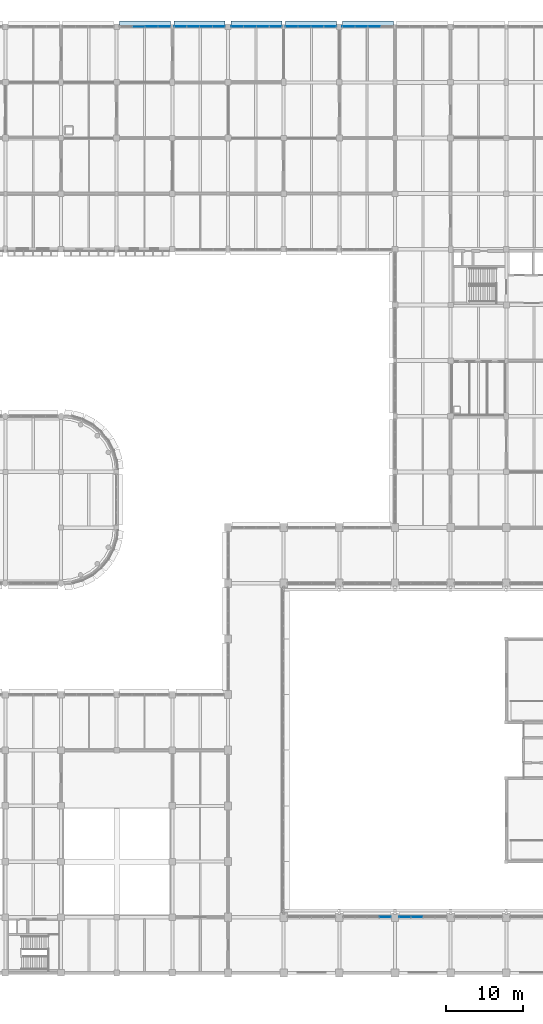
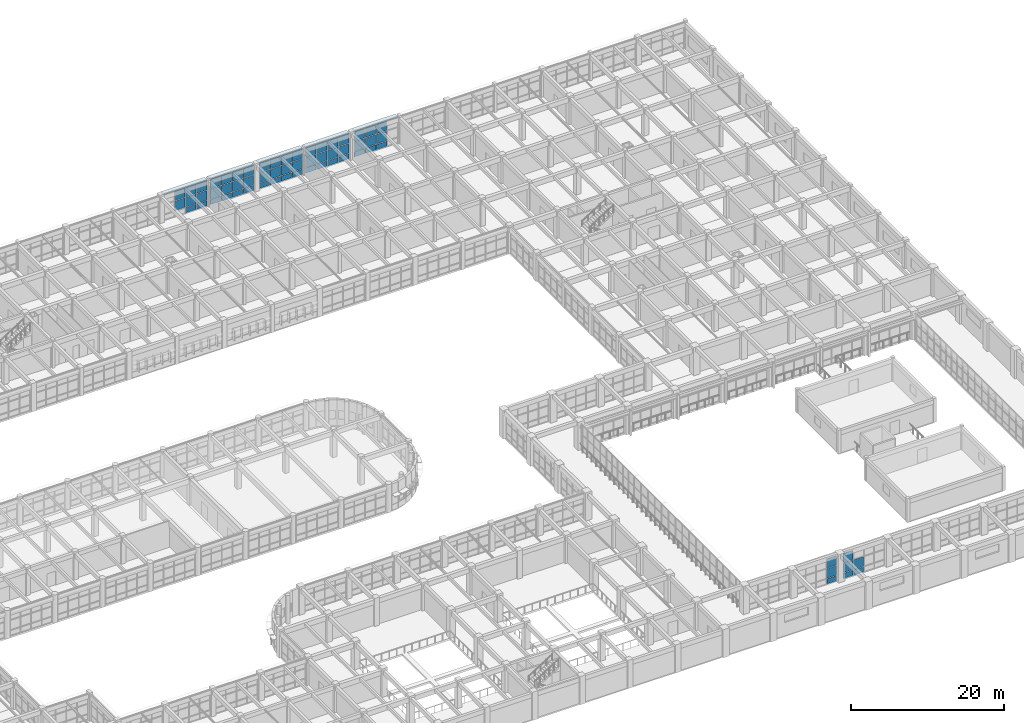
# One storey, part 139 of 171: 66 plates, 7 elements without a shape of their own.
"""IFC4 building model written with IfcOpenShell, lengths in metres."""

from ifc_helpers import new_model, si_unit, direction, frame, origin, origin_2d, place, context, subcontext, project, spatial, rectangle, extrude, material, layer, layer_set, type_object, element, aggregate, save


model = new_model("IFC4")

# Units and contexts
model_context = context("Model", 3, precision=1e-05, world=origin(), true_north=direction((0.0, 1.0)))
body_context = subcontext(model_context, "Body", "Model", "MODEL_VIEW")
ifc_project = project(units=[si_unit("LENGTHUNIT", "METRE"), si_unit("AREAUNIT", "SQUARE_METRE"), si_unit("VOLUMEUNIT", "CUBIC_METRE"), si_unit("PLANEANGLEUNIT", "RADIAN"), si_unit("MASSUNIT", "GRAM", prefix="KILO")], contexts=[model_context])

# Site, building, storey
site_placement = place(None, origin())
site = spatial("IfcSite", under=ifc_project, at=site_placement, CompositionType="ELEMENT")
building_placement = place(site_placement, origin())
building = spatial("IfcBuilding", under=site, at=building_placement, Name="Thalmaran Polytechnic", CompositionType="ELEMENT")
storey_placement = place(building_placement, frame((0.0, 0.0, 5.39990234375)))
storey = spatial("IfcBuildingStorey", under=building, at=storey_placement, Name="L01", CompositionType="ELEMENT", Elevation=5.39990234375)

# Plates
ifc_material_1 = material(Name="Anodised aluminium sun-hood eyebrow", Category="aluminium")
ifc_layer_1 = layer(ifc_material_1, 0.0849609375, Name="Anodised aluminium sun-hood eyebrow")
ifc_layer_set_1 = layer_set([ifc_layer_1], Name="Anodised aluminium sun-hood eyebrow")
plate_type_1 = type_object("IfcPlateType", Name="PT-EB01", PredefinedType="SHEET", material=ifc_layer_set_1)
for number, where, z_axis, x_axis, name in (
    (1, (97.280029296875, 122.760009765625, 4.107666015625), (0.0, 0.0, 1.0), (1.0, 0.0, 0.0), "Streamline Sun-Hood Eyebrow L01-CW092"),
    (2, (104.320068359375, 122.760009765625, 4.107666015625), (0.0, 0.0, 1.0), (1.0, 0.0, 0.0), "Streamline Sun-Hood Eyebrow L01-CW093"),
    (3, (111.679931640625, 122.760009765625, 4.107666015625), (0.0, 0.0, 1.0), (1.0, 0.0, 0.0), "Streamline Sun-Hood Eyebrow L01-CW094"),
    (4, (118.719970703125, 122.760009765625, 4.107666015625), (0.0, 0.0, 1.0), (1.0, 0.0, 0.0), "Streamline Sun-Hood Eyebrow L01-CW095"),
    (5, (126.080078125, 122.760009765625, 4.107666015625), (0.0, 0.0, 1.0), (1.0, 0.0, 0.0), "Streamline Sun-Hood Eyebrow L01-CW096"),
):
    element("IfcPlate", number, at=place(storey_placement, frame(where, z_axis=z_axis, x_axis=x_axis)), inside=storey, type_object=plate_type_1, Name=name, PredefinedType="SHEET", context=body_context, shape_type="SweptSolid", body=[
        extrude(rectangle(XDim=6.60009765625, YDim=0.760009765625, at=origin_2d()), origin(), (0.0, 0.0, 1.0), 0.0849609375),
    ])

# Curtain wall, plates
ifc_material_2 = material(Name="Aluminium 6063-T6", Category="aluminium")
curtain_wall_type = type_object("IfcCurtainWallType", Name="CW-UC02", PredefinedType="USERDEFINED", material=ifc_material_2)
curtain_wall_1_placement = place(storey_placement, origin())
curtain_wall_1 = element("IfcCurtainWall", 6, at=curtain_wall_1_placement, inside=storey, type_object=curtain_wall_type, Name="Curtain Wall CW-L01-095", ObjectType="UNITISED CURTAIN WALL", PredefinedType="USERDEFINED")
ifc_material_3 = material(Name="Solar-control double low-E glass", Category="glass")
ifc_layer_2 = layer(ifc_material_3, 0.035888671875, Name="Solar-control double low-E glass")
ifc_layer_set_2 = layer_set([ifc_layer_2], Name="Solar-control double low-E glass")
plate_type_2 = type_object("IfcPlateType", Name="PT-GL01", PredefinedType="CURTAIN_PANEL", material=ifc_layer_set_2)
plate_1_placement = place(storey_placement, frame((116.22998046875, 122.39990234375, 1.000244140625), z_axis=(0.0, 0.0, 1.0), x_axis=(1.0, 0.0, 0.0)))
plate_1 = element("IfcPlate", 7, at=plate_1_placement, type_object=plate_type_2, Name="CW-L01-095 Vision Panel 1-2", PredefinedType="CURTAIN_PANEL", context=body_context, shape_type="SweptSolid", body=[
    extrude(rectangle(XDim=1.56005859375, YDim=0.035888671875, at=origin_2d()), origin(), (0.0, 0.0, 1.0), 1.544921875),
])
plate_2_placement = place(storey_placement, frame((116.22998046875, 122.39990234375, 2.625), z_axis=(0.0, 0.0, 1.0), x_axis=(1.0, 0.0, 0.0)))
plate_2 = element("IfcPlate", 8, at=plate_2_placement, type_object=plate_type_2, Name="CW-L01-095 Vision Panel 1-3", PredefinedType="CURTAIN_PANEL", context=body_context, shape_type="SweptSolid", body=[
    extrude(rectangle(XDim=1.56005859375, YDim=0.035888671875, at=origin_2d()), origin(), (0.0, 0.0, 1.0), 1.485107421875),
])
plate_3_placement = place(storey_placement, frame((117.889892578125, 122.39990234375, 1.000244140625), z_axis=(0.0, 0.0, 1.0), x_axis=(1.0, 0.0, 0.0)))
plate_3 = element("IfcPlate", 9, at=plate_3_placement, type_object=plate_type_2, Name="CW-L01-095 Vision Panel 2-2", PredefinedType="CURTAIN_PANEL", context=body_context, shape_type="SweptSolid", body=[
    extrude(rectangle(XDim=1.56005859375, YDim=0.035888671875, at=origin_2d()), origin(), (0.0, 0.0, 1.0), 1.544921875),
])
plate_4_placement = place(storey_placement, frame((117.889892578125, 122.39990234375, 2.625), z_axis=(0.0, 0.0, 1.0), x_axis=(1.0, 0.0, 0.0)))
plate_4 = element("IfcPlate", 10, at=plate_4_placement, type_object=plate_type_2, Name="CW-L01-095 Vision Panel 2-3", PredefinedType="CURTAIN_PANEL", context=body_context, shape_type="SweptSolid", body=[
    extrude(rectangle(XDim=1.56005859375, YDim=0.035888671875, at=origin_2d()), origin(), (0.0, 0.0, 1.0), 1.485107421875),
])
plate_5_placement = place(storey_placement, frame((119.550048828125, 122.39990234375, 1.000244140625), z_axis=(0.0, 0.0, 1.0), x_axis=(1.0, 0.0, 0.0)))
plate_5 = element("IfcPlate", 11, at=plate_5_placement, type_object=plate_type_2, Name="CW-L01-095 Vision Panel 3-2", PredefinedType="CURTAIN_PANEL", context=body_context, shape_type="SweptSolid", body=[
    extrude(rectangle(XDim=1.56005859375, YDim=0.035888671875, at=origin_2d()), origin(), (0.0, 0.0, 1.0), 1.544921875),
])
plate_6_placement = place(storey_placement, frame((119.550048828125, 122.39990234375, 2.625), z_axis=(0.0, 0.0, 1.0), x_axis=(1.0, 0.0, 0.0)))
plate_6 = element("IfcPlate", 12, at=plate_6_placement, type_object=plate_type_2, Name="CW-L01-095 Vision Panel 3-3", PredefinedType="CURTAIN_PANEL", context=body_context, shape_type="SweptSolid", body=[
    extrude(rectangle(XDim=1.56005859375, YDim=0.035888671875, at=origin_2d()), origin(), (0.0, 0.0, 1.0), 1.485107421875),
])
plate_7_placement = place(storey_placement, frame((121.2099609375, 122.39990234375, 1.000244140625), z_axis=(0.0, 0.0, 1.0), x_axis=(1.0, 0.0, 0.0)))
plate_7 = element("IfcPlate", 13, at=plate_7_placement, type_object=plate_type_2, Name="CW-L01-095 Vision Panel 4-2", PredefinedType="CURTAIN_PANEL", context=body_context, shape_type="SweptSolid", body=[
    extrude(rectangle(XDim=1.56005859375, YDim=0.035888671875, at=origin_2d()), origin(), (0.0, 0.0, 1.0), 1.544921875),
])
plate_8_placement = place(storey_placement, frame((121.2099609375, 122.39990234375, 2.625), z_axis=(0.0, 0.0, 1.0), x_axis=(1.0, 0.0, 0.0)))
plate_8 = element("IfcPlate", 14, at=plate_8_placement, type_object=plate_type_2, Name="CW-L01-095 Vision Panel 4-3", PredefinedType="CURTAIN_PANEL", context=body_context, shape_type="SweptSolid", body=[
    extrude(rectangle(XDim=1.56005859375, YDim=0.035888671875, at=origin_2d()), origin(), (0.0, 0.0, 1.0), 1.485107421875),
])

curtain_wall_2_placement = place(storey_placement, origin())
curtain_wall_2 = element("IfcCurtainWall", 15, at=curtain_wall_2_placement, inside=storey, type_object=curtain_wall_type, Name="Curtain Wall CW-L01-096", ObjectType="UNITISED CURTAIN WALL", PredefinedType="USERDEFINED")
ifc_layer_3 = layer(ifc_material_3, 0.035888671875, Name="Solar-control double low-E glass")
ifc_layer_set_3 = layer_set([ifc_layer_3], Name="Solar-control double low-E glass")
plate_type_3 = type_object("IfcPlateType", Name="PT-GL02", PredefinedType="CURTAIN_PANEL", material=ifc_layer_set_3)
plate_9_placement = place(storey_placement, frame((123.590087890625, 122.39990234375, 1.000244140625), z_axis=(0.0, 0.0, 1.0), x_axis=(1.0, 0.0, 0.0)))
plate_9 = element("IfcPlate", 16, at=plate_9_placement, type_object=plate_type_3, Name="CW-L01-096 Vision Panel 1-2", PredefinedType="CURTAIN_PANEL", context=body_context, shape_type="SweptSolid", body=[
    extrude(rectangle(XDim=1.56005859375, YDim=0.035888671875, at=origin_2d()), origin(), (0.0, 0.0, 1.0), 1.544921875),
])
plate_10_placement = place(storey_placement, frame((123.590087890625, 122.39990234375, 2.625), z_axis=(0.0, 0.0, 1.0), x_axis=(1.0, 0.0, 0.0)))
plate_10 = element("IfcPlate", 17, at=plate_10_placement, type_object=plate_type_3, Name="CW-L01-096 Vision Panel 1-3", PredefinedType="CURTAIN_PANEL", context=body_context, shape_type="SweptSolid", body=[
    extrude(rectangle(XDim=1.56005859375, YDim=0.035888671875, at=origin_2d()), origin(), (0.0, 0.0, 1.0), 1.485107421875),
])
plate_11_placement = place(storey_placement, frame((125.25, 122.39990234375, 1.000244140625), z_axis=(0.0, 0.0, 1.0), x_axis=(1.0, 0.0, 0.0)))
plate_11 = element("IfcPlate", 18, at=plate_11_placement, type_object=plate_type_3, Name="CW-L01-096 Vision Panel 2-2", PredefinedType="CURTAIN_PANEL", context=body_context, shape_type="SweptSolid", body=[
    extrude(rectangle(XDim=1.56005859375, YDim=0.035888671875, at=origin_2d()), origin(), (0.0, 0.0, 1.0), 1.544921875),
])
plate_12_placement = place(storey_placement, frame((125.25, 122.39990234375, 2.625), z_axis=(0.0, 0.0, 1.0), x_axis=(1.0, 0.0, 0.0)))
plate_12 = element("IfcPlate", 19, at=plate_12_placement, type_object=plate_type_3, Name="CW-L01-096 Vision Panel 2-3", PredefinedType="CURTAIN_PANEL", context=body_context, shape_type="SweptSolid", body=[
    extrude(rectangle(XDim=1.56005859375, YDim=0.035888671875, at=origin_2d()), origin(), (0.0, 0.0, 1.0), 1.485107421875),
])
plate_13_placement = place(storey_placement, frame((126.909912109375, 122.39990234375, 1.000244140625), z_axis=(0.0, 0.0, 1.0), x_axis=(1.0, 0.0, 0.0)))
plate_13 = element("IfcPlate", 20, at=plate_13_placement, type_object=plate_type_3, Name="CW-L01-096 Vision Panel 3-2", PredefinedType="CURTAIN_PANEL", context=body_context, shape_type="SweptSolid", body=[
    extrude(rectangle(XDim=1.56005859375, YDim=0.035888671875, at=origin_2d()), origin(), (0.0, 0.0, 1.0), 1.544921875),
])
plate_14_placement = place(storey_placement, frame((126.909912109375, 122.39990234375, 2.625), z_axis=(0.0, 0.0, 1.0), x_axis=(1.0, 0.0, 0.0)))
plate_14 = element("IfcPlate", 21, at=plate_14_placement, type_object=plate_type_3, Name="CW-L01-096 Vision Panel 3-3", PredefinedType="CURTAIN_PANEL", context=body_context, shape_type="SweptSolid", body=[
    extrude(rectangle(XDim=1.56005859375, YDim=0.035888671875, at=origin_2d()), origin(), (0.0, 0.0, 1.0), 1.485107421875),
])

curtain_wall_3_placement = place(storey_placement, origin())
curtain_wall_3 = element("IfcCurtainWall", 22, at=curtain_wall_3_placement, inside=storey, type_object=curtain_wall_type, Name="Curtain Wall CW-L01-092", ObjectType="UNITISED CURTAIN WALL", PredefinedType="USERDEFINED")
ifc_layer_4 = layer(ifc_material_3, 0.035888671875, Name="Solar-control double low-E glass")
ifc_layer_set_4 = layer_set([ifc_layer_4], Name="Solar-control double low-E glass")
plate_type_4 = type_object("IfcPlateType", Name="PT-GL03", PredefinedType="CURTAIN_PANEL", material=ifc_layer_set_4)
plate_15_placement = place(storey_placement, frame((96.449951171875, 122.39990234375, 1.000244140625), z_axis=(0.0, 0.0, 1.0), x_axis=(1.0, 0.0, 0.0)))
plate_15 = element("IfcPlate", 23, at=plate_15_placement, type_object=plate_type_4, Name="CW-L01-092 Vision Panel 2-2", PredefinedType="CURTAIN_PANEL", context=body_context, shape_type="SweptSolid", body=[
    extrude(rectangle(XDim=1.56005859375, YDim=0.035888671875, at=origin_2d()), origin(), (0.0, 0.0, 1.0), 1.544921875),
])
plate_16_placement = place(storey_placement, frame((96.449951171875, 122.39990234375, 2.625), z_axis=(0.0, 0.0, 1.0), x_axis=(1.0, 0.0, 0.0)))
plate_16 = element("IfcPlate", 24, at=plate_16_placement, type_object=plate_type_4, Name="CW-L01-092 Vision Panel 2-3", PredefinedType="CURTAIN_PANEL", context=body_context, shape_type="SweptSolid", body=[
    extrude(rectangle(XDim=1.56005859375, YDim=0.035888671875, at=origin_2d()), origin(), (0.0, 0.0, 1.0), 1.485107421875),
])
plate_17_placement = place(storey_placement, frame((98.110107421875, 122.39990234375, 1.000244140625), z_axis=(0.0, 0.0, 1.0), x_axis=(1.0, 0.0, 0.0)))
plate_17 = element("IfcPlate", 25, at=plate_17_placement, type_object=plate_type_4, Name="CW-L01-092 Vision Panel 3-2", PredefinedType="CURTAIN_PANEL", context=body_context, shape_type="SweptSolid", body=[
    extrude(rectangle(XDim=1.56005859375, YDim=0.035888671875, at=origin_2d()), origin(), (0.0, 0.0, 1.0), 1.544921875),
])
plate_18_placement = place(storey_placement, frame((98.110107421875, 122.39990234375, 2.625), z_axis=(0.0, 0.0, 1.0), x_axis=(1.0, 0.0, 0.0)))
plate_18 = element("IfcPlate", 26, at=plate_18_placement, type_object=plate_type_4, Name="CW-L01-092 Vision Panel 3-3", PredefinedType="CURTAIN_PANEL", context=body_context, shape_type="SweptSolid", body=[
    extrude(rectangle(XDim=1.56005859375, YDim=0.035888671875, at=origin_2d()), origin(), (0.0, 0.0, 1.0), 1.485107421875),
])
plate_19_placement = place(storey_placement, frame((99.77001953125, 122.39990234375, 1.000244140625), z_axis=(0.0, 0.0, 1.0), x_axis=(1.0, 0.0, 0.0)))
plate_19 = element("IfcPlate", 27, at=plate_19_placement, type_object=plate_type_4, Name="CW-L01-092 Vision Panel 4-2", PredefinedType="CURTAIN_PANEL", context=body_context, shape_type="SweptSolid", body=[
    extrude(rectangle(XDim=1.56005859375, YDim=0.035888671875, at=origin_2d()), origin(), (0.0, 0.0, 1.0), 1.544921875),
])
plate_20_placement = place(storey_placement, frame((99.77001953125, 122.39990234375, 2.625), z_axis=(0.0, 0.0, 1.0), x_axis=(1.0, 0.0, 0.0)))
plate_20 = element("IfcPlate", 28, at=plate_20_placement, type_object=plate_type_4, Name="CW-L01-092 Vision Panel 4-3", PredefinedType="CURTAIN_PANEL", context=body_context, shape_type="SweptSolid", body=[
    extrude(rectangle(XDim=1.56005859375, YDim=0.035888671875, at=origin_2d()), origin(), (0.0, 0.0, 1.0), 1.485107421875),
])

curtain_wall_4_placement = place(storey_placement, origin())
curtain_wall_4 = element("IfcCurtainWall", 29, at=curtain_wall_4_placement, inside=storey, type_object=curtain_wall_type, Name="Curtain Wall CW-L01-112", ObjectType="UNITISED CURTAIN WALL", PredefinedType="USERDEFINED")
plate_21_placement = place(storey_placement, frame((128.34375, 7.199951171875, 1.000244140625), z_axis=(0.0, 0.0, 1.0), x_axis=(1.0, 0.0, 0.0)))
plate_21 = element("IfcPlate", 30, at=plate_21_placement, type_object=plate_type_4, Name="CW-L01-112 Vision Panel 4-2", PredefinedType="CURTAIN_PANEL", context=body_context, shape_type="SweptSolid", body=[
    extrude(rectangle(XDim=1.46240234375, YDim=0.035888671875, at=origin_2d()), origin(), (0.0, 0.0, 1.0), 1.544921875),
])
plate_22_placement = place(storey_placement, frame((128.34375, 7.199951171875, 2.625), z_axis=(0.0, 0.0, 1.0), x_axis=(1.0, 0.0, 0.0)))
plate_22 = element("IfcPlate", 31, at=plate_22_placement, type_object=plate_type_4, Name="CW-L01-112 Vision Panel 4-3", PredefinedType="CURTAIN_PANEL", context=body_context, shape_type="SweptSolid", body=[
    extrude(rectangle(XDim=1.46240234375, YDim=0.035888671875, at=origin_2d()), origin(), (0.0, 0.0, 1.0), 1.485107421875),
])

curtain_wall_5_placement = place(storey_placement, origin())
curtain_wall_5 = element("IfcCurtainWall", 32, at=curtain_wall_5_placement, inside=storey, type_object=curtain_wall_type, Name="Curtain Wall CW-L01-093", ObjectType="UNITISED CURTAIN WALL", PredefinedType="USERDEFINED")
ifc_layer_5 = layer(ifc_material_3, 0.035888671875, Name="Solar-control double low-E glass")
ifc_layer_set_5 = layer_set([ifc_layer_5], Name="Solar-control double low-E glass")
plate_type_5 = type_object("IfcPlateType", Name="PT-GL04", PredefinedType="CURTAIN_PANEL", material=ifc_layer_set_5)
plate_23_placement = place(storey_placement, frame((101.830078125, 122.39990234375, 1.000244140625), z_axis=(0.0, 0.0, 1.0), x_axis=(1.0, 0.0, 0.0)))
plate_23 = element("IfcPlate", 33, at=plate_23_placement, type_object=plate_type_5, Name="CW-L01-093 Vision Panel 1-2", PredefinedType="CURTAIN_PANEL", context=body_context, shape_type="SweptSolid", body=[
    extrude(rectangle(XDim=1.56005859375, YDim=0.035888671875, at=origin_2d()), origin(), (0.0, 0.0, 1.0), 1.544921875),
])
plate_24_placement = place(storey_placement, frame((101.830078125, 122.39990234375, 2.625), z_axis=(0.0, 0.0, 1.0), x_axis=(1.0, 0.0, 0.0)))
plate_24 = element("IfcPlate", 34, at=plate_24_placement, type_object=plate_type_5, Name="CW-L01-093 Vision Panel 1-3", PredefinedType="CURTAIN_PANEL", context=body_context, shape_type="SweptSolid", body=[
    extrude(rectangle(XDim=1.56005859375, YDim=0.035888671875, at=origin_2d()), origin(), (0.0, 0.0, 1.0), 1.485107421875),
])
plate_25_placement = place(storey_placement, frame((103.489990234375, 122.39990234375, 1.000244140625), z_axis=(0.0, 0.0, 1.0), x_axis=(1.0, 0.0, 0.0)))
plate_25 = element("IfcPlate", 35, at=plate_25_placement, type_object=plate_type_5, Name="CW-L01-093 Vision Panel 2-2", PredefinedType="CURTAIN_PANEL", context=body_context, shape_type="SweptSolid", body=[
    extrude(rectangle(XDim=1.56005859375, YDim=0.035888671875, at=origin_2d()), origin(), (0.0, 0.0, 1.0), 1.544921875),
])
plate_26_placement = place(storey_placement, frame((103.489990234375, 122.39990234375, 2.625), z_axis=(0.0, 0.0, 1.0), x_axis=(1.0, 0.0, 0.0)))
plate_26 = element("IfcPlate", 36, at=plate_26_placement, type_object=plate_type_5, Name="CW-L01-093 Vision Panel 2-3", PredefinedType="CURTAIN_PANEL", context=body_context, shape_type="SweptSolid", body=[
    extrude(rectangle(XDim=1.56005859375, YDim=0.035888671875, at=origin_2d()), origin(), (0.0, 0.0, 1.0), 1.485107421875),
])
plate_27_placement = place(storey_placement, frame((105.14990234375, 122.39990234375, 1.000244140625), z_axis=(0.0, 0.0, 1.0), x_axis=(1.0, 0.0, 0.0)))
plate_27 = element("IfcPlate", 37, at=plate_27_placement, type_object=plate_type_5, Name="CW-L01-093 Vision Panel 3-2", PredefinedType="CURTAIN_PANEL", context=body_context, shape_type="SweptSolid", body=[
    extrude(rectangle(XDim=1.56005859375, YDim=0.035888671875, at=origin_2d()), origin(), (0.0, 0.0, 1.0), 1.544921875),
])
plate_28_placement = place(storey_placement, frame((105.14990234375, 122.39990234375, 2.625), z_axis=(0.0, 0.0, 1.0), x_axis=(1.0, 0.0, 0.0)))
plate_28 = element("IfcPlate", 38, at=plate_28_placement, type_object=plate_type_5, Name="CW-L01-093 Vision Panel 3-3", PredefinedType="CURTAIN_PANEL", context=body_context, shape_type="SweptSolid", body=[
    extrude(rectangle(XDim=1.56005859375, YDim=0.035888671875, at=origin_2d()), origin(), (0.0, 0.0, 1.0), 1.485107421875),
])
plate_29_placement = place(storey_placement, frame((106.81005859375, 122.39990234375, 1.000244140625), z_axis=(0.0, 0.0, 1.0), x_axis=(1.0, 0.0, 0.0)))
plate_29 = element("IfcPlate", 39, at=plate_29_placement, type_object=plate_type_5, Name="CW-L01-093 Vision Panel 4-2", PredefinedType="CURTAIN_PANEL", context=body_context, shape_type="SweptSolid", body=[
    extrude(rectangle(XDim=1.56005859375, YDim=0.035888671875, at=origin_2d()), origin(), (0.0, 0.0, 1.0), 1.544921875),
])
plate_30_placement = place(storey_placement, frame((106.81005859375, 122.39990234375, 2.625), z_axis=(0.0, 0.0, 1.0), x_axis=(1.0, 0.0, 0.0)))
plate_30 = element("IfcPlate", 40, at=plate_30_placement, type_object=plate_type_5, Name="CW-L01-093 Vision Panel 4-3", PredefinedType="CURTAIN_PANEL", context=body_context, shape_type="SweptSolid", body=[
    extrude(rectangle(XDim=1.56005859375, YDim=0.035888671875, at=origin_2d()), origin(), (0.0, 0.0, 1.0), 1.485107421875),
])

curtain_wall_6_placement = place(storey_placement, origin())
curtain_wall_6 = element("IfcCurtainWall", 41, at=curtain_wall_6_placement, inside=storey, type_object=curtain_wall_type, Name="Curtain Wall CW-L01-113", ObjectType="UNITISED CURTAIN WALL", PredefinedType="USERDEFINED")
plate_31_placement = place(storey_placement, frame((130.856201171875, 7.199951171875, 1.000244140625), z_axis=(0.0, 0.0, 1.0), x_axis=(1.0, 0.0, 0.0)))
plate_31 = element("IfcPlate", 42, at=plate_31_placement, type_object=plate_type_5, Name="CW-L01-113 Vision Panel 1-2", PredefinedType="CURTAIN_PANEL", context=body_context, shape_type="SweptSolid", body=[
    extrude(rectangle(XDim=1.46240234375, YDim=0.035888671875, at=origin_2d()), origin(), (0.0, 0.0, 1.0), 1.544921875),
])
plate_32_placement = place(storey_placement, frame((130.856201171875, 7.199951171875, 2.625), z_axis=(0.0, 0.0, 1.0), x_axis=(1.0, 0.0, 0.0)))
plate_32 = element("IfcPlate", 43, at=plate_32_placement, type_object=plate_type_5, Name="CW-L01-113 Vision Panel 1-3", PredefinedType="CURTAIN_PANEL", context=body_context, shape_type="SweptSolid", body=[
    extrude(rectangle(XDim=1.46240234375, YDim=0.035888671875, at=origin_2d()), origin(), (0.0, 0.0, 1.0), 1.485107421875),
])
plate_33_placement = place(storey_placement, frame((132.418701171875, 7.199951171875, 1.000244140625), z_axis=(0.0, 0.0, 1.0), x_axis=(1.0, 0.0, 0.0)))
plate_33 = element("IfcPlate", 44, at=plate_33_placement, type_object=plate_type_5, Name="CW-L01-113 Vision Panel 2-2", PredefinedType="CURTAIN_PANEL", context=body_context, shape_type="SweptSolid", body=[
    extrude(rectangle(XDim=1.46240234375, YDim=0.035888671875, at=origin_2d()), origin(), (0.0, 0.0, 1.0), 1.544921875),
])

curtain_wall_7_placement = place(storey_placement, origin())
curtain_wall_7 = element("IfcCurtainWall", 45, at=curtain_wall_7_placement, inside=storey, type_object=curtain_wall_type, Name="Curtain Wall CW-L01-094", ObjectType="UNITISED CURTAIN WALL", PredefinedType="USERDEFINED")
ifc_layer_6 = layer(ifc_material_3, 0.035888671875, Name="Solar-control double low-E glass")
ifc_layer_set_6 = layer_set([ifc_layer_6], Name="Solar-control double low-E glass")
plate_type_6 = type_object("IfcPlateType", Name="PT-GL05", PredefinedType="CURTAIN_PANEL", material=ifc_layer_set_6)
plate_34_placement = place(storey_placement, frame((109.18994140625, 122.39990234375, 1.000244140625), z_axis=(0.0, 0.0, 1.0), x_axis=(1.0, 0.0, 0.0)))
plate_34 = element("IfcPlate", 46, at=plate_34_placement, type_object=plate_type_6, Name="CW-L01-094 Vision Panel 1-2", PredefinedType="CURTAIN_PANEL", context=body_context, shape_type="SweptSolid", body=[
    extrude(rectangle(XDim=1.56005859375, YDim=0.035888671875, at=origin_2d()), origin(), (0.0, 0.0, 1.0), 1.544921875),
])
plate_35_placement = place(storey_placement, frame((109.18994140625, 122.39990234375, 2.625), z_axis=(0.0, 0.0, 1.0), x_axis=(1.0, 0.0, 0.0)))
plate_35 = element("IfcPlate", 47, at=plate_35_placement, type_object=plate_type_6, Name="CW-L01-094 Vision Panel 1-3", PredefinedType="CURTAIN_PANEL", context=body_context, shape_type="SweptSolid", body=[
    extrude(rectangle(XDim=1.56005859375, YDim=0.035888671875, at=origin_2d()), origin(), (0.0, 0.0, 1.0), 1.485107421875),
])
plate_36_placement = place(storey_placement, frame((110.85009765625, 122.39990234375, 1.000244140625), z_axis=(0.0, 0.0, 1.0), x_axis=(1.0, 0.0, 0.0)))
plate_36 = element("IfcPlate", 48, at=plate_36_placement, type_object=plate_type_6, Name="CW-L01-094 Vision Panel 2-2", PredefinedType="CURTAIN_PANEL", context=body_context, shape_type="SweptSolid", body=[
    extrude(rectangle(XDim=1.56005859375, YDim=0.035888671875, at=origin_2d()), origin(), (0.0, 0.0, 1.0), 1.544921875),
])
plate_37_placement = place(storey_placement, frame((110.85009765625, 122.39990234375, 2.625), z_axis=(0.0, 0.0, 1.0), x_axis=(1.0, 0.0, 0.0)))
plate_37 = element("IfcPlate", 49, at=plate_37_placement, type_object=plate_type_6, Name="CW-L01-094 Vision Panel 2-3", PredefinedType="CURTAIN_PANEL", context=body_context, shape_type="SweptSolid", body=[
    extrude(rectangle(XDim=1.56005859375, YDim=0.035888671875, at=origin_2d()), origin(), (0.0, 0.0, 1.0), 1.485107421875),
])
plate_38_placement = place(storey_placement, frame((112.510009765625, 122.39990234375, 1.000244140625), z_axis=(0.0, 0.0, 1.0), x_axis=(1.0, 0.0, 0.0)))
plate_38 = element("IfcPlate", 50, at=plate_38_placement, type_object=plate_type_6, Name="CW-L01-094 Vision Panel 3-2", PredefinedType="CURTAIN_PANEL", context=body_context, shape_type="SweptSolid", body=[
    extrude(rectangle(XDim=1.56005859375, YDim=0.035888671875, at=origin_2d()), origin(), (0.0, 0.0, 1.0), 1.544921875),
])
plate_39_placement = place(storey_placement, frame((112.510009765625, 122.39990234375, 2.625), z_axis=(0.0, 0.0, 1.0), x_axis=(1.0, 0.0, 0.0)))
plate_39 = element("IfcPlate", 51, at=plate_39_placement, type_object=plate_type_6, Name="CW-L01-094 Vision Panel 3-3", PredefinedType="CURTAIN_PANEL", context=body_context, shape_type="SweptSolid", body=[
    extrude(rectangle(XDim=1.56005859375, YDim=0.035888671875, at=origin_2d()), origin(), (0.0, 0.0, 1.0), 1.485107421875),
])
plate_40_placement = place(storey_placement, frame((114.169921875, 122.39990234375, 1.000244140625), z_axis=(0.0, 0.0, 1.0), x_axis=(1.0, 0.0, 0.0)))
plate_40 = element("IfcPlate", 52, at=plate_40_placement, type_object=plate_type_6, Name="CW-L01-094 Vision Panel 4-2", PredefinedType="CURTAIN_PANEL", context=body_context, shape_type="SweptSolid", body=[
    extrude(rectangle(XDim=1.56005859375, YDim=0.035888671875, at=origin_2d()), origin(), (0.0, 0.0, 1.0), 1.544921875),
])
plate_41_placement = place(storey_placement, frame((114.169921875, 122.39990234375, 2.625), z_axis=(0.0, 0.0, 1.0), x_axis=(1.0, 0.0, 0.0)))
plate_41 = element("IfcPlate", 53, at=plate_41_placement, type_object=plate_type_6, Name="CW-L01-094 Vision Panel 4-3", PredefinedType="CURTAIN_PANEL", context=body_context, shape_type="SweptSolid", body=[
    extrude(rectangle(XDim=1.56005859375, YDim=0.035888671875, at=origin_2d()), origin(), (0.0, 0.0, 1.0), 1.485107421875),
])

# Plate
ifc_material_4 = material(Name="Insulated anodised aluminium spandrel", Category="aluminium")
ifc_layer_7 = layer(ifc_material_4, 0.06005859375, Name="Insulated anodised aluminium spandrel")
ifc_layer_set_7 = layer_set([ifc_layer_7], Name="Insulated anodised aluminium spandrel")
plate_type_7 = type_object("IfcPlateType", Name="PT-SP01", PredefinedType="CURTAIN_PANEL", material=ifc_layer_set_7)
plate_42_placement = place(storey_placement, frame((101.830078125, 122.39990234375, 0.10009765625), z_axis=(0.0, 0.0, 1.0), x_axis=(1.0, 0.0, 0.0)))
plate_42 = element("IfcPlate", 54, at=plate_42_placement, type_object=plate_type_7, Name="CW-L01-093 Spandrel Panel 1-1", PredefinedType="CURTAIN_PANEL", context=body_context, shape_type="SweptSolid", body=[
    extrude(rectangle(XDim=1.56005859375, YDim=0.06005859375, at=origin_2d()), origin(), (0.0, 0.0, 1.0), 0.820068359375),
])

plate_43_placement = place(storey_placement, frame((103.489990234375, 122.39990234375, 0.10009765625), z_axis=(0.0, 0.0, 1.0), x_axis=(1.0, 0.0, 0.0)))
plate_43 = element("IfcPlate", 55, at=plate_43_placement, type_object=plate_type_7, Name="CW-L01-093 Spandrel Panel 2-1", PredefinedType="CURTAIN_PANEL", context=body_context, shape_type="SweptSolid", body=[
    extrude(rectangle(XDim=1.56005859375, YDim=0.06005859375, at=origin_2d()), origin(), (0.0, 0.0, 1.0), 0.820068359375),
])

plate_44_placement = place(storey_placement, frame((105.14990234375, 122.39990234375, 0.10009765625), z_axis=(0.0, 0.0, 1.0), x_axis=(1.0, 0.0, 0.0)))
plate_44 = element("IfcPlate", 56, at=plate_44_placement, type_object=plate_type_7, Name="CW-L01-093 Spandrel Panel 3-1", PredefinedType="CURTAIN_PANEL", context=body_context, shape_type="SweptSolid", body=[
    extrude(rectangle(XDim=1.56005859375, YDim=0.06005859375, at=origin_2d()), origin(), (0.0, 0.0, 1.0), 0.820068359375),
])

plate_45_placement = place(storey_placement, frame((106.81005859375, 122.39990234375, 0.10009765625), z_axis=(0.0, 0.0, 1.0), x_axis=(1.0, 0.0, 0.0)))
plate_45 = element("IfcPlate", 57, at=plate_45_placement, type_object=plate_type_7, Name="CW-L01-093 Spandrel Panel 4-1", PredefinedType="CURTAIN_PANEL", context=body_context, shape_type="SweptSolid", body=[
    extrude(rectangle(XDim=1.56005859375, YDim=0.06005859375, at=origin_2d()), origin(), (0.0, 0.0, 1.0), 0.820068359375),
])

aggregate(curtain_wall_5, [plate_42, plate_23, plate_24, plate_43, plate_25, plate_26, plate_44, plate_27, plate_28, plate_45, plate_29, plate_30])

plate_46_placement = place(storey_placement, frame((123.590087890625, 122.39990234375, 0.10009765625), z_axis=(0.0, 0.0, 1.0), x_axis=(1.0, 0.0, 0.0)))
plate_46 = element("IfcPlate", 58, at=plate_46_placement, type_object=plate_type_7, Name="CW-L01-096 Spandrel Panel 1-1", PredefinedType="CURTAIN_PANEL", context=body_context, shape_type="SweptSolid", body=[
    extrude(rectangle(XDim=1.56005859375, YDim=0.06005859375, at=origin_2d()), origin(), (0.0, 0.0, 1.0), 0.820068359375),
])

plate_47_placement = place(storey_placement, frame((125.25, 122.39990234375, 0.10009765625), z_axis=(0.0, 0.0, 1.0), x_axis=(1.0, 0.0, 0.0)))
plate_47 = element("IfcPlate", 59, at=plate_47_placement, type_object=plate_type_7, Name="CW-L01-096 Spandrel Panel 2-1", PredefinedType="CURTAIN_PANEL", context=body_context, shape_type="SweptSolid", body=[
    extrude(rectangle(XDim=1.56005859375, YDim=0.06005859375, at=origin_2d()), origin(), (0.0, 0.0, 1.0), 0.820068359375),
])

plate_48_placement = place(storey_placement, frame((126.909912109375, 122.39990234375, 0.10009765625), z_axis=(0.0, 0.0, 1.0), x_axis=(1.0, 0.0, 0.0)))
plate_48 = element("IfcPlate", 60, at=plate_48_placement, type_object=plate_type_7, Name="CW-L01-096 Spandrel Panel 3-1", PredefinedType="CURTAIN_PANEL", context=body_context, shape_type="SweptSolid", body=[
    extrude(rectangle(XDim=1.56005859375, YDim=0.06005859375, at=origin_2d()), origin(), (0.0, 0.0, 1.0), 0.820068359375),
])

aggregate(curtain_wall_2, [plate_46, plate_9, plate_10, plate_47, plate_11, plate_12, plate_48, plate_13, plate_14])

ifc_layer_8 = layer(ifc_material_4, 0.06005859375, Name="Insulated anodised aluminium spandrel")
ifc_layer_set_8 = layer_set([ifc_layer_8], Name="Insulated anodised aluminium spandrel")
plate_type_8 = type_object("IfcPlateType", Name="PT-SP02", PredefinedType="CURTAIN_PANEL", material=ifc_layer_set_8)
plate_49_placement = place(storey_placement, frame((109.18994140625, 122.39990234375, 0.10009765625), z_axis=(0.0, 0.0, 1.0), x_axis=(1.0, 0.0, 0.0)))
plate_49 = element("IfcPlate", 61, at=plate_49_placement, type_object=plate_type_8, Name="CW-L01-094 Spandrel Panel 1-1", PredefinedType="CURTAIN_PANEL", context=body_context, shape_type="SweptSolid", body=[
    extrude(rectangle(XDim=1.56005859375, YDim=0.06005859375, at=origin_2d()), origin(), (0.0, 0.0, 1.0), 0.820068359375),
])

plate_50_placement = place(storey_placement, frame((110.85009765625, 122.39990234375, 0.10009765625), z_axis=(0.0, 0.0, 1.0), x_axis=(1.0, 0.0, 0.0)))
plate_50 = element("IfcPlate", 62, at=plate_50_placement, type_object=plate_type_8, Name="CW-L01-094 Spandrel Panel 2-1", PredefinedType="CURTAIN_PANEL", context=body_context, shape_type="SweptSolid", body=[
    extrude(rectangle(XDim=1.56005859375, YDim=0.06005859375, at=origin_2d()), origin(), (0.0, 0.0, 1.0), 0.820068359375),
])

plate_51_placement = place(storey_placement, frame((112.510009765625, 122.39990234375, 0.10009765625), z_axis=(0.0, 0.0, 1.0), x_axis=(1.0, 0.0, 0.0)))
plate_51 = element("IfcPlate", 63, at=plate_51_placement, type_object=plate_type_8, Name="CW-L01-094 Spandrel Panel 3-1", PredefinedType="CURTAIN_PANEL", context=body_context, shape_type="SweptSolid", body=[
    extrude(rectangle(XDim=1.56005859375, YDim=0.06005859375, at=origin_2d()), origin(), (0.0, 0.0, 1.0), 0.820068359375),
])

plate_52_placement = place(storey_placement, frame((114.169921875, 122.39990234375, 0.10009765625), z_axis=(0.0, 0.0, 1.0), x_axis=(1.0, 0.0, 0.0)))
plate_52 = element("IfcPlate", 64, at=plate_52_placement, type_object=plate_type_8, Name="CW-L01-094 Spandrel Panel 4-1", PredefinedType="CURTAIN_PANEL", context=body_context, shape_type="SweptSolid", body=[
    extrude(rectangle(XDim=1.56005859375, YDim=0.06005859375, at=origin_2d()), origin(), (0.0, 0.0, 1.0), 0.820068359375),
])

aggregate(curtain_wall_7, [plate_49, plate_34, plate_35, plate_50, plate_36, plate_37, plate_51, plate_38, plate_39, plate_52, plate_40, plate_41])

plate_53_placement = place(storey_placement, frame((128.34375, 7.199951171875, 0.10009765625), z_axis=(0.0, 0.0, 1.0), x_axis=(1.0, 0.0, 0.0)))
plate_53 = element("IfcPlate", 65, at=plate_53_placement, type_object=plate_type_8, Name="CW-L01-112 Spandrel Panel 4-1", PredefinedType="CURTAIN_PANEL", context=body_context, shape_type="SweptSolid", body=[
    extrude(rectangle(XDim=1.46240234375, YDim=0.06005859375, at=origin_2d()), origin(), (0.0, 0.0, 1.0), 0.820068359375),
])

aggregate(curtain_wall_4, [plate_53, plate_21, plate_22])

ifc_layer_9 = layer(ifc_material_4, 0.06005859375, Name="Insulated anodised aluminium spandrel")
ifc_layer_set_9 = layer_set([ifc_layer_9], Name="Insulated anodised aluminium spandrel")
plate_type_9 = type_object("IfcPlateType", Name="PT-SP03", PredefinedType="CURTAIN_PANEL", material=ifc_layer_set_9)
plate_54_placement = place(storey_placement, frame((98.110107421875, 122.39990234375, 0.10009765625), z_axis=(0.0, 0.0, 1.0), x_axis=(1.0, 0.0, 0.0)))
plate_54 = element("IfcPlate", 66, at=plate_54_placement, type_object=plate_type_9, Name="CW-L01-092 Spandrel Panel 3-1", PredefinedType="CURTAIN_PANEL", context=body_context, shape_type="SweptSolid", body=[
    extrude(rectangle(XDim=1.56005859375, YDim=0.06005859375, at=origin_2d()), origin(), (0.0, 0.0, 1.0), 0.820068359375),
])

plate_55_placement = place(storey_placement, frame((99.77001953125, 122.39990234375, 0.10009765625), z_axis=(0.0, 0.0, 1.0), x_axis=(1.0, 0.0, 0.0)))
plate_55 = element("IfcPlate", 67, at=plate_55_placement, type_object=plate_type_9, Name="CW-L01-092 Spandrel Panel 4-1", PredefinedType="CURTAIN_PANEL", context=body_context, shape_type="SweptSolid", body=[
    extrude(rectangle(XDim=1.56005859375, YDim=0.06005859375, at=origin_2d()), origin(), (0.0, 0.0, 1.0), 0.820068359375),
])

aggregate(curtain_wall_3, [plate_15, plate_16, plate_54, plate_17, plate_18, plate_55, plate_19, plate_20])

plate_56_placement = place(storey_placement, frame((116.22998046875, 122.39990234375, 0.10009765625), z_axis=(0.0, 0.0, 1.0), x_axis=(1.0, 0.0, 0.0)))
plate_56 = element("IfcPlate", 68, at=plate_56_placement, type_object=plate_type_9, Name="CW-L01-095 Spandrel Panel 1-1", PredefinedType="CURTAIN_PANEL", context=body_context, shape_type="SweptSolid", body=[
    extrude(rectangle(XDim=1.56005859375, YDim=0.06005859375, at=origin_2d()), origin(), (0.0, 0.0, 1.0), 0.820068359375),
])

plate_57_placement = place(storey_placement, frame((117.889892578125, 122.39990234375, 0.10009765625), z_axis=(0.0, 0.0, 1.0), x_axis=(1.0, 0.0, 0.0)))
plate_57 = element("IfcPlate", 69, at=plate_57_placement, type_object=plate_type_9, Name="CW-L01-095 Spandrel Panel 2-1", PredefinedType="CURTAIN_PANEL", context=body_context, shape_type="SweptSolid", body=[
    extrude(rectangle(XDim=1.56005859375, YDim=0.06005859375, at=origin_2d()), origin(), (0.0, 0.0, 1.0), 0.820068359375),
])

plate_58_placement = place(storey_placement, frame((119.550048828125, 122.39990234375, 0.10009765625), z_axis=(0.0, 0.0, 1.0), x_axis=(1.0, 0.0, 0.0)))
plate_58 = element("IfcPlate", 70, at=plate_58_placement, type_object=plate_type_9, Name="CW-L01-095 Spandrel Panel 3-1", PredefinedType="CURTAIN_PANEL", context=body_context, shape_type="SweptSolid", body=[
    extrude(rectangle(XDim=1.56005859375, YDim=0.06005859375, at=origin_2d()), origin(), (0.0, 0.0, 1.0), 0.820068359375),
])

plate_59_placement = place(storey_placement, frame((121.2099609375, 122.39990234375, 0.10009765625), z_axis=(0.0, 0.0, 1.0), x_axis=(1.0, 0.0, 0.0)))
plate_59 = element("IfcPlate", 71, at=plate_59_placement, type_object=plate_type_9, Name="CW-L01-095 Spandrel Panel 4-1", PredefinedType="CURTAIN_PANEL", context=body_context, shape_type="SweptSolid", body=[
    extrude(rectangle(XDim=1.56005859375, YDim=0.06005859375, at=origin_2d()), origin(), (0.0, 0.0, 1.0), 0.820068359375),
])

aggregate(curtain_wall_1, [plate_56, plate_1, plate_2, plate_57, plate_3, plate_4, plate_58, plate_5, plate_6, plate_59, plate_7, plate_8])

plate_60_placement = place(storey_placement, frame((130.856201171875, 7.199951171875, 0.10009765625), z_axis=(0.0, 0.0, 1.0), x_axis=(1.0, 0.0, 0.0)))
plate_60 = element("IfcPlate", 72, at=plate_60_placement, type_object=plate_type_9, Name="CW-L01-113 Spandrel Panel 1-1", PredefinedType="CURTAIN_PANEL", context=body_context, shape_type="SweptSolid", body=[
    extrude(rectangle(XDim=1.46240234375, YDim=0.06005859375, at=origin_2d()), origin(), (0.0, 0.0, 1.0), 0.820068359375),
])

plate_61_placement = place(storey_placement, frame((132.418701171875, 7.199951171875, 0.10009765625), z_axis=(0.0, 0.0, 1.0), x_axis=(1.0, 0.0, 0.0)))
plate_61 = element("IfcPlate", 73, at=plate_61_placement, type_object=plate_type_9, Name="CW-L01-113 Spandrel Panel 2-1", PredefinedType="CURTAIN_PANEL", context=body_context, shape_type="SweptSolid", body=[
    extrude(rectangle(XDim=1.46240234375, YDim=0.06005859375, at=origin_2d()), origin(), (0.0, 0.0, 1.0), 0.820068359375),
])

aggregate(curtain_wall_6, [plate_60, plate_31, plate_32, plate_61, plate_33])

save(model, "model.ifc")
